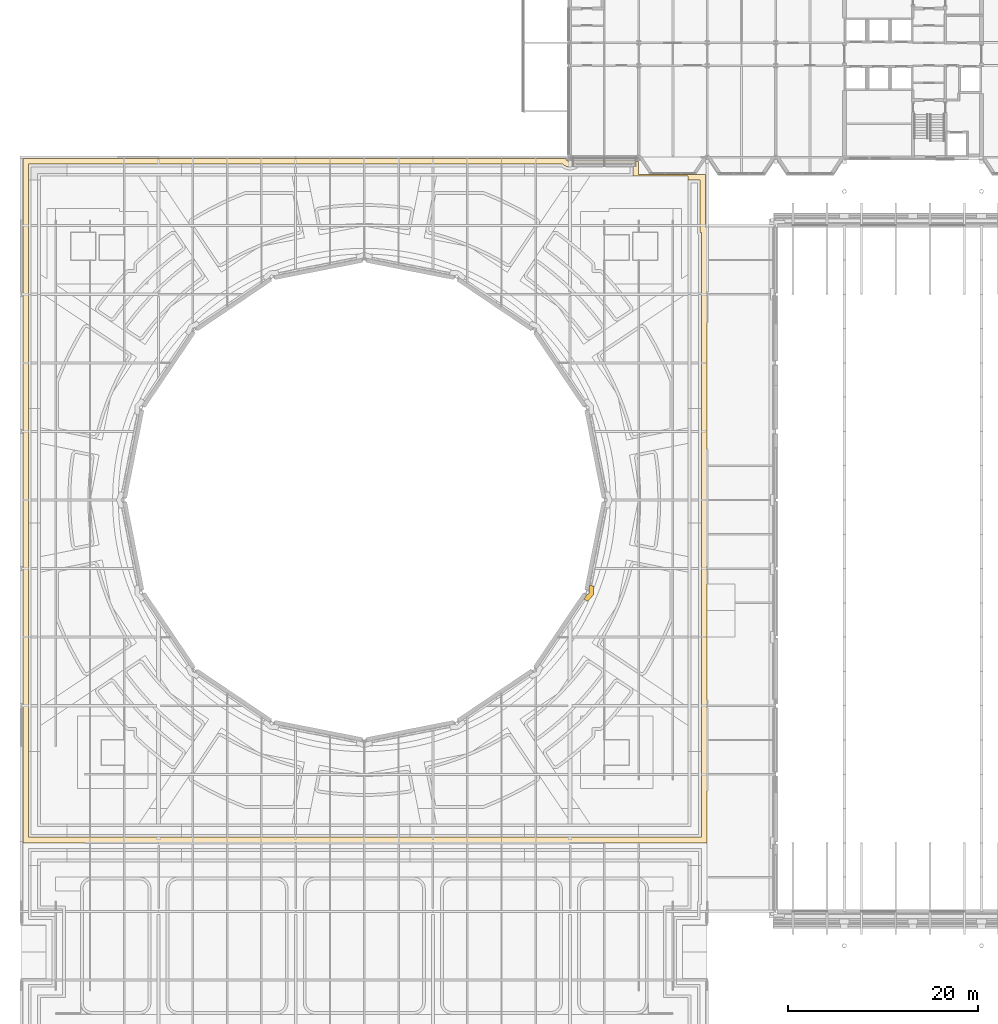
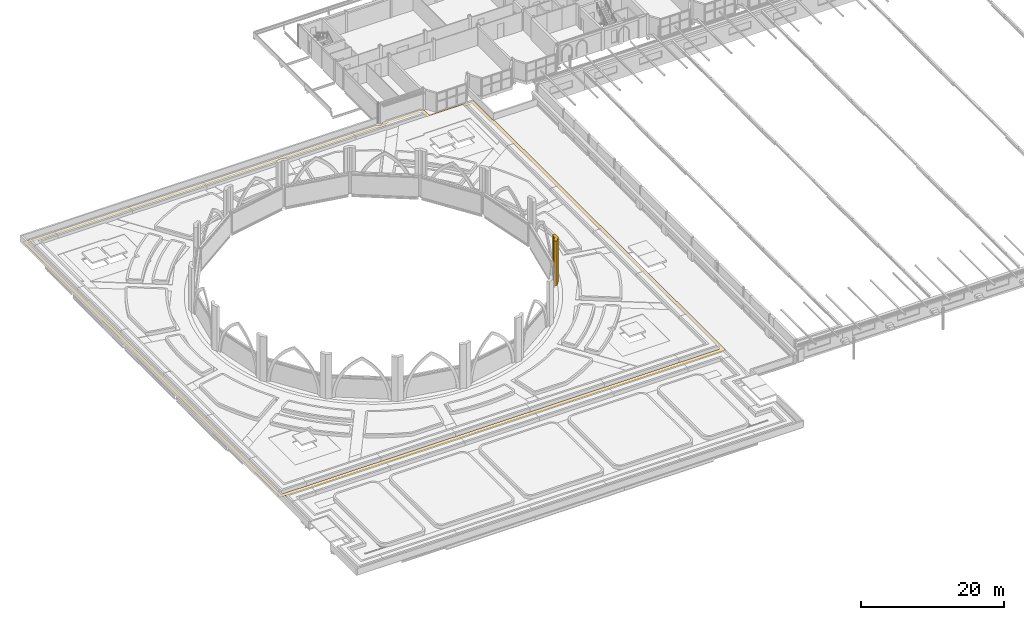
# One storey, part 89 of 110: 2 coverings.
"""IFC4 building model written with IfcOpenShell, lengths in metres."""

import ifcopenshell
import ifcopenshell.guid

model = None  # the IFC model being written
_history = None  # IfcOwnerHistory: only IFC2X3 demands one
_inside = {}  # id of a spatial element -> (the spatial element, [elements in it])
_under = {}  # id of a project, library or spatial element -> (it, [spatial elements below it])
_declared = {}  # id of a project -> (the project, [libraries it declares])
_typed = {}  # id of a type object -> (the type object, [elements of that type])
_made_of = {}  # id of a material, layer set ... -> (it, [elements and type objects made of it])


def new_model(schema):
    """Start an empty IFC model of exactly this schema.

    Asked for "IFC4X3", IfcOpenShell would pick the latest addendum, in which some entities
    have other attributes; the version numbers below select the first issue.
    IFC2X3 requires an IfcOwnerHistory on every rooted entity: one is made here for all.
    """
    global model, _history
    if schema == "IFC4X3":
        model = ifcopenshell.file(schema_version=(4, 3, 0, 0))
    else:
        model = ifcopenshell.file(schema=schema)
    _inside.clear()
    _under.clear()
    _declared.clear()
    _typed.clear()
    _made_of.clear()
    _history = None
    if model.schema == "IFC2X3":
        org = make("IfcOrganization", Name="unknown")
        user = make(
            "IfcPersonAndOrganization",
            ThePerson=make("IfcPerson", FamilyName="unknown"),
            TheOrganization=org,
        )
        app = make(
            "IfcApplication",
            ApplicationDeveloper=org,
            Version="unknown",
            ApplicationFullName="unknown",
            ApplicationIdentifier="unknown",
        )
        _history = make(
            "IfcOwnerHistory",
            OwningUser=user,
            OwningApplication=app,
            ChangeAction="ADDED",
            CreationDate=0,
        )
    return model


def make(cls, **values):
    """One entity of the class cls with the attributes given. An attribute that is None is left unset."""
    return model.create_entity(
        cls, **{name: value for name, value in values.items() if value is not None}
    )


def rooted(cls, **values):
    """An entity with a GlobalId (a new one), such as an element, a storey or a relation."""
    return make(cls, GlobalId=ifcopenshell.guid.new(), OwnerHistory=_history, **values)


def si_unit(unit_type, name, prefix=None):
    """IfcSIUnit, for example si_unit("LENGTHUNIT", "METRE", prefix="MILLI")."""
    return make("IfcSIUnit", UnitType=unit_type, Prefix=prefix, Name=name)


def assignment(units):
    """IfcUnitAssignment: the units of a project."""
    return None if units is None else make("IfcUnitAssignment", Units=units)


def point(xyz):
    """IfcCartesianPoint."""
    return None if xyz is None else make("IfcCartesianPoint", Coordinates=xyz)


def direction(xyz):
    """IfcDirection."""
    return None if xyz is None else make("IfcDirection", DirectionRatios=xyz)


def frame(location, z_axis=None, x_axis=None):
    """IfcAxis2Placement3D, a coordinate frame: its origin and axes. An axis left out is left unset."""
    return make(
        "IfcAxis2Placement3D",
        Location=point(location),
        Axis=direction(z_axis),
        RefDirection=direction(x_axis),
    )


def origin():
    """The frame at (0, 0, 0) with its axes left unset."""
    return frame((0.0, 0.0, 0.0))


def place(relative_to, where):
    """IfcLocalPlacement: puts the frame where relative to a parent placement (None: the world)."""
    return make(
        "IfcLocalPlacement", PlacementRelTo=relative_to, RelativePlacement=where
    )


def context(
    kind, dimensions, precision=None, world=None, true_north=None, identifier=None
):
    """IfcGeometricRepresentationContext, for example the 3D "Model" context."""
    return make(
        "IfcGeometricRepresentationContext",
        ContextIdentifier=identifier,
        ContextType=kind,
        CoordinateSpaceDimension=dimensions,
        Precision=precision,
        WorldCoordinateSystem=world,
        TrueNorth=true_north,
    )


def subcontext(parent, identifier, kind, view, scale=None):
    """IfcGeometricRepresentationSubContext, for example "Body" below "Model"."""
    return make(
        "IfcGeometricRepresentationSubContext",
        ContextIdentifier=identifier,
        ContextType=kind,
        ParentContext=parent,
        TargetScale=scale,
        TargetView=view,
    )


def project(units=None, contexts=None):
    """IfcProject with its units and contexts."""
    return rooted(
        "IfcProject",
        Name="project",
        RepresentationContexts=contexts,
        UnitsInContext=assignment(units),
    )


def spatial(cls, under=None, at=None, **own):
    """A site, building, storey or space (cls), placed at a placement, below another one or the project."""
    s = rooted(cls, ObjectPlacement=at, **own)
    if under is not None:
        _under.setdefault(under.id(), (under, []))[1].append(s)
    return s


def polyline(points):
    """IfcPolyline through the points."""
    return make("IfcPolyline", Points=[point(p) for p in points])


def outline(outer, holes=None, kind="AREA"):
    """IfcArbitraryClosedProfileDef: a profile drawn as a closed curve; with holes, ...WithVoids."""
    if holes is None:
        return make("IfcArbitraryClosedProfileDef", ProfileType=kind, OuterCurve=outer)
    return make(
        "IfcArbitraryProfileDefWithVoids",
        ProfileType=kind,
        OuterCurve=outer,
        InnerCurves=holes,
    )


def extrude(swept, where, along, depth):
    """IfcExtrudedAreaSolid: the profile swept, set in the frame where, extruded along a direction by depth."""
    return make(
        "IfcExtrudedAreaSolid",
        SweptArea=swept,
        Position=where,
        ExtrudedDirection=direction(along),
        Depth=depth,
    )


def shape(context_of_items, identifier, shape_type, items):
    """IfcShapeRepresentation: the items that make up one representation, for example the "Body"."""
    return make(
        "IfcShapeRepresentation",
        ContextOfItems=context_of_items,
        RepresentationIdentifier=identifier,
        RepresentationType=shape_type,
        Items=items,
    )


def material(Name=None, Category=None):
    """IfcMaterial."""
    return make("IfcMaterial", Name=Name, Category=Category)


def layer(
    of_material, thickness, ventilated=None, Name=None, Category=None, Priority=None
):
    """IfcMaterialLayer: one layer of a wall or slab, of a material (None: an air gap)."""
    return make(
        "IfcMaterialLayer",
        Material=of_material,
        LayerThickness=thickness,
        IsVentilated=ventilated,
        Name=Name,
        Category=Category,
        Priority=Priority,
    )


def layer_set(layers, Name=None):
    """IfcMaterialLayerSet."""
    return make("IfcMaterialLayerSet", MaterialLayers=layers, LayerSetName=Name)


def made_of(thing, what):
    """Note that an element or type object is made of a material, layer set ...; save() writes the relation."""
    if what is not None:
        _made_of.setdefault(what.id(), (what, []))[1].append(thing)
    return thing


def type_object(cls, material=None, **own):
    """A type object (cls), such as IfcWallType, which elements share."""
    return made_of(rooted(cls, **own), material)


def element(
    cls,
    number,
    at=None,
    inside=None,
    cuts=None,
    type_object=None,
    material=None,
    context=None,
    identifier="Body",
    shape_type=None,
    held_by="IfcProductDefinitionShape",
    body=None,
    shapes=None,
    **own,
):
    """One element of the class cls, such as IfcWall. Its Tag is "e" and its number.

    at: its placement. inside: the storey or other place that contains it. cuts: it is an
    opening in that element (IfcRelVoidsElement). A single representation is given by context,
    identifier, shape_type and body (its items); several are given by shapes. held_by: the class
    of the entity that holds the representations. save() writes the other relations.
    """
    e = rooted(cls, Tag="e%d" % number, ObjectPlacement=at, **own)
    if body is not None:
        shapes = [shape(context, identifier, shape_type, body)]
    if shapes is not None:
        e.Representation = make(held_by, Representations=shapes)
    if inside is not None:
        _inside.setdefault(inside.id(), (inside, []))[1].append(e)
    if cuts is not None:
        rooted(
            "IfcRelVoidsElement", RelatingBuildingElement=cuts, RelatedOpeningElement=e
        )
    if type_object is not None:
        _typed.setdefault(type_object.id(), (type_object, []))[1].append(e)
    return made_of(e, material)


def aggregate(whole, parts):
    """IfcRelAggregates: a whole, such as a stair, and the parts it consists of."""
    return rooted("IfcRelAggregates", RelatingObject=whole, RelatedObjects=parts)


def save(model, path):
    """Write the relations noted so far, then the file.

    IfcRelAggregates (storeys below a building ...), IfcRelContainedInSpatialStructure (elements
    in a storey), IfcRelDefinesByType, IfcRelAssociatesMaterial and IfcRelDeclares: one each for
    every whole, place, type object, material and project.
    """
    for whole, parts in _under.values():
        aggregate(whole, parts)
    for where, things in _inside.values():
        rooted(
            "IfcRelContainedInSpatialStructure",
            RelatedElements=things,
            RelatingStructure=where,
        )
    for kind, things in _typed.values():
        rooted("IfcRelDefinesByType", RelatedObjects=things, RelatingType=kind)
    for what, things in _made_of.values():
        rooted("IfcRelAssociatesMaterial", RelatedObjects=things, RelatingMaterial=what)
    for by, libraries in _declared.values():
        rooted("IfcRelDeclares", RelatingContext=by, RelatedDefinitions=libraries)
    model.write(path)


model = new_model("IFC4")

# Units and contexts
model_context = context("Model", 3, precision=1e-05, world=origin(), true_north=direction((0.0, 1.0)))
body_context = subcontext(model_context, "Body", "Model", "MODEL_VIEW")
ifc_project = project(units=[si_unit("LENGTHUNIT", "METRE"), si_unit("AREAUNIT", "SQUARE_METRE"), si_unit("VOLUMEUNIT", "CUBIC_METRE"), si_unit("PLANEANGLEUNIT", "RADIAN"), si_unit("MASSUNIT", "GRAM", prefix="KILO")], contexts=[model_context])

# Site, building, storey
site_placement = place(None, origin())
site = spatial("IfcSite", under=ifc_project, at=site_placement, CompositionType="ELEMENT")
building_placement = place(site_placement, origin())
building = spatial("IfcBuilding", under=site, at=building_placement, Name="Kupolbacken Congress Centre", CompositionType="ELEMENT")
storey_placement = place(building_placement, frame((0.0, 0.0, 18.0)))
storey = spatial("IfcBuildingStorey", under=building, at=storey_placement, Name="L05", CompositionType="ELEMENT", Elevation=18.0)

# Coverings
ifc_material_1 = material(Name="Limestone cladding", Category="masonry")
ifc_layer_1 = layer(ifc_material_1, 0.5)
ifc_layer_set_1 = layer_set([ifc_layer_1], Name="Limestone cladding")
covering_type_1 = type_object("IfcCoveringType", Name="CV8 limestone drum pier 500", PredefinedType="CLADDING", material=ifc_layer_set_1)
covering_1_placement = place(storey_placement, origin())
element("IfcCovering", 1, at=covering_1_placement, inside=storey, type_object=covering_type_1, Name="F/drum/pier-lo/06/0", PredefinedType="CLADDING", context=body_context, shape_type="SweptSolid", body=[
    extrude(outline(polyline([(66.6357421875, 75.75341796875), (67.258056640625, 76.43603515625), (67.30224609375, 77.3564453125), (66.86083984375, 77.443359375), (66.76416015625, 76.952880859375), (66.82373046875, 76.615966796875), (66.54248046875, 76.419677734375), (66.262939453125, 76.00537109375), (66.6357421875, 75.75341796875)])), origin(), (0.0, 0.0, 1.0), 7.60009765625),
])
ifc_material_2 = material(Name="Limestone cladding", Category="masonry")
ifc_layer_2 = layer(ifc_material_2, 0.02001953125)
ifc_layer_set_2 = layer_set([ifc_layer_2], Name="Limestone cladding")
covering_type_2 = type_object("IfcCoveringType", Name="GF1 limestone paving 20", PredefinedType="FLOORING", material=ifc_layer_set_2)
covering_2_placement = place(storey_placement, origin())
element("IfcCovering", 2, at=covering_2_placement, inside=storey, type_object=covering_type_2, Name="Roof walk, plenary wing roof", PredefinedType="FLOORING", context=body_context, shape_type="SweptSolid", body=[
    extrude(outline(polyline([(71.529296875, 122.306396484375), (71.54052734375, 122.2607421875), (71.556396484375, 122.21630859375), (71.57666015625, 122.173583984375), (71.600830078125, 122.13330078125), (71.62890625, 122.095458984375), (71.66064453125, 122.060546875), (71.695556640625, 122.02880859375), (71.7333984375, 122.0009765625), (71.773681640625, 121.9765625), (71.81640625, 121.95654296875), (71.860595703125, 121.940673828125), (71.90625, 121.92919921875), (71.952880859375, 121.92236328125), (71.969970703125, 121.92138671875), (71.969970703125, 120.570068359375), (79.0400390625, 120.570068359375), (79.0400390625, 115.360107421875), (79.0400390625, 115.360107421875), (79.0400390625, 115.0400390625), (79.0400390625, 115.0400390625), (79.0400390625, 115.0400390625), (79.197509765625, 115.0400390625), (79.197509765625, 50.402587890625), (7.360107421875, 50.402587890625), (7.360107421875, 50.56005859375), (7.360107421875, 122.239990234375), (64.347900390625, 122.239990234375), (64.3564453125, 122.21630859375), (64.376708984375, 122.173583984375), (64.40087890625, 122.13330078125), (64.428955078125, 122.095458984375), (64.460693359375, 122.060546875), (64.49560546875, 122.02880859375), (64.533203125, 122.0009765625), (64.57373046875, 121.9765625), (64.6162109375, 121.95654296875), (64.66064453125, 121.940673828125), (64.706298828125, 121.92919921875), (64.7529296875, 121.92236328125), (64.800048828125, 121.919921875), (64.84716796875, 121.92236328125), (64.893798828125, 121.92919921875), (64.939208984375, 121.940673828125), (64.983642578125, 121.95654296875), (65.0263671875, 121.9765625), (65.066650390625, 122.0009765625), (65.1044921875, 122.02880859375), (65.139404296875, 122.060546875), (65.171142578125, 122.095458984375), (65.19921875, 122.13330078125), (65.223388671875, 122.173583984375), (65.243408203125, 122.21630859375), (65.259521484375, 122.2607421875), (65.270751953125, 122.306396484375), (65.277587890625, 122.352783203125), (65.27978515625, 122.3974609375), (71.52001953125, 122.3974609375), (71.522216796875, 122.352783203125), (71.529296875, 122.306396484375)]), holes=[polyline([(71.257080078125, 121.656982421875), (71.187744140625, 121.7333984375), (71.140380859375, 121.797607421875), (65.65966796875, 121.797607421875), (65.6123046875, 121.7333984375), (65.54296875, 121.656982421875), (65.466552734375, 121.587890625), (65.3837890625, 121.5263671875), (65.29541015625, 121.473388671875), (65.2021484375, 121.42919921875), (65.10498046875, 121.39453125), (65.0048828125, 121.369384765625), (64.903076171875, 121.354248046875), (64.800048828125, 121.349365234375), (64.697021484375, 121.354248046875), (64.594970703125, 121.369384765625), (64.4951171875, 121.39453125), (64.39794921875, 121.42919921875), (64.3046875, 121.473388671875), (64.21630859375, 121.5263671875), (64.13330078125, 121.587890625), (64.056884765625, 121.656982421875), (64.04541015625, 121.669921875), (7.929931640625, 121.669921875), (7.929931640625, 51.1298828125), (7.929931640625, 51.00244140625), (78.597412109375, 51.00244140625), (78.597412109375, 114.469970703125), (78.469970703125, 114.469970703125), (78.469970703125, 114.469970703125), (78.469970703125, 114.469970703125), (78.469970703125, 115.929931640625), (78.469970703125, 115.929931640625), (78.469970703125, 120.0), (77.197509765625, 120.0), (77.197509765625, 120.3974609375), (71.39990234375, 120.3974609375), (71.39990234375, 121.538330078125), (71.33349609375, 121.587890625), (71.257080078125, 121.656982421875)])]), origin(), (0.0, 0.0, 1.0), 0.02001953125),
])

save(model, "model.ifc")
